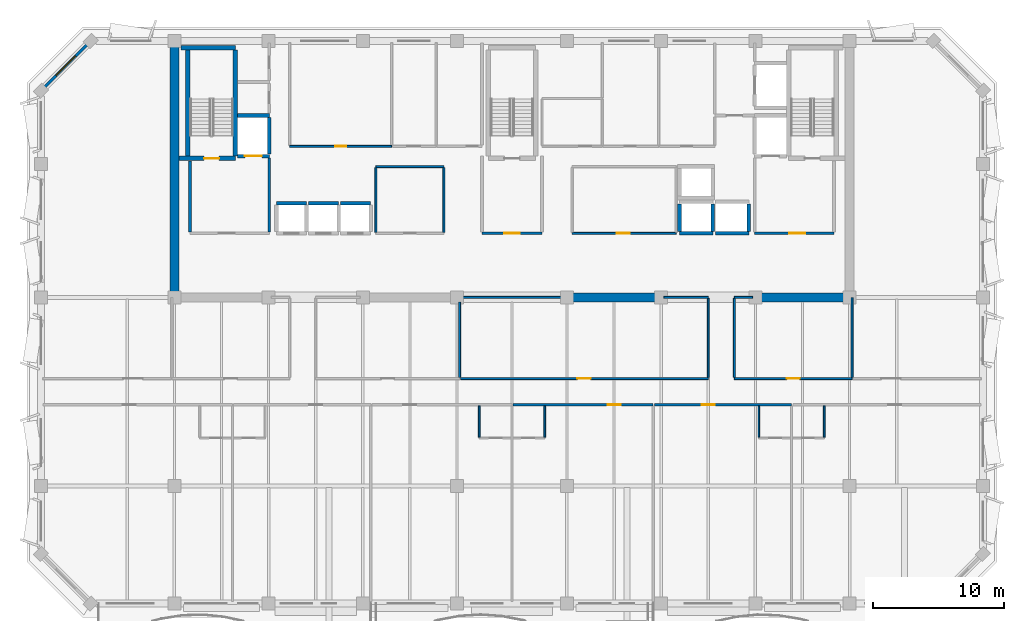
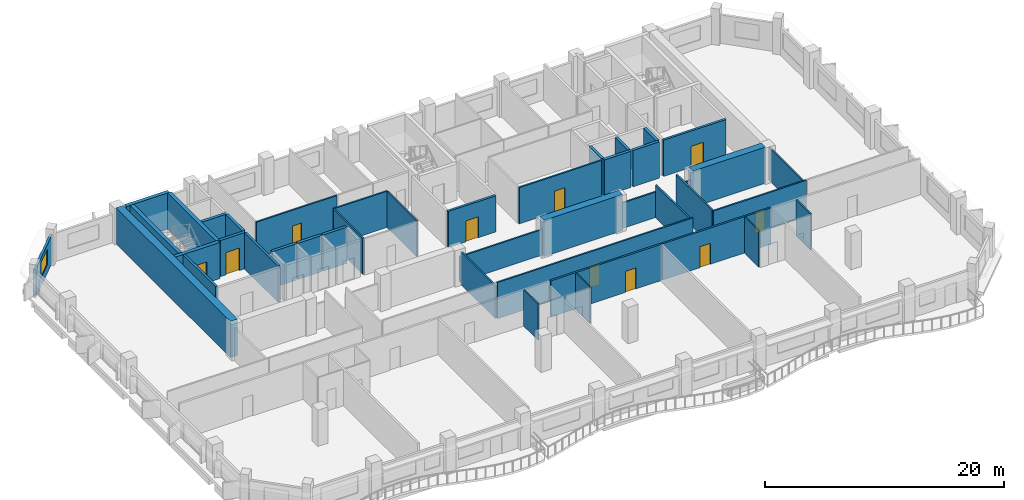
# One storey, part 5 of 11: 43 walls, 10 doors, 1 window, 11 openings.
"""IFC4 building model written with IfcOpenShell, lengths in metres."""

from ifc_helpers import new_model, si_unit, direction, frame, frame_2d, origin, place, context, subcontext, project, spatial, rectangle, extrude, material, layer, layer_set, type_object, element, fill, save


model = new_model("IFC4")

# Units and contexts
model_context = context("Model", 3, precision=1e-05, world=origin(), true_north=direction((0.0, 1.0)))
body_context = subcontext(model_context, "Body", "Model", "MODEL_VIEW")
ifc_project = project(units=[si_unit("LENGTHUNIT", "METRE"), si_unit("AREAUNIT", "SQUARE_METRE"), si_unit("VOLUMEUNIT", "CUBIC_METRE"), si_unit("PLANEANGLEUNIT", "RADIAN"), si_unit("MASSUNIT", "GRAM", prefix="KILO")], contexts=[model_context])

# Site, building, storey
site_placement = place(None, origin())
site = spatial("IfcSite", under=ifc_project, at=site_placement, CompositionType="ELEMENT")
building_placement = place(site_placement, origin())
building = spatial("IfcBuilding", under=site, at=building_placement, Name="Kaelvorn Grand Hotel", CompositionType="ELEMENT")
storey_placement = place(building_placement, frame((0.0, 0.0, 256.800048828125)))
storey = spatial("IfcBuildingStorey", under=building, at=storey_placement, Name="L63", CompositionType="ELEMENT", Elevation=256.800048828125)

# Walls
ifc_material_1 = material(Name="Concrete C50/60", Category="concrete")
ifc_layer_1 = layer(ifc_material_1, 0.699951171875)
ifc_layer_set_1 = layer_set([ifc_layer_1], Name="Concrete C50/60")
wall_type_1 = type_object("IfcWallType", Name="WL-CORE-700-C50", PredefinedType="SHEAR", material=ifc_layer_set_1)
wall_1_placement = place(storey_placement, frame((16.199951171875, 29.39990234375, 0.0), z_axis=(0.0, 0.0, 1.0), x_axis=(0.0, 1.0, 0.0)))
element("IfcWall", 1, at=wall_1_placement, inside=storey, type_object=wall_type_1, Name="L63 Rear-Core West Shear Wall", PredefinedType="SHEAR", context=body_context, shape_type="SweptSolid", body=[
    extrude(rectangle(XDim=19.2001953125, YDim=0.699951171875, at=frame_2d((9.60009765625, 0.0))), origin(), (0.0, 0.0, 1.0), 3.7099609375),
])
wall_2_placement = place(storey_placement, frame((46.0, 29.39990234375, 0.0), z_axis=(0.0, 0.0, 1.0), x_axis=(1.0, 0.0, 0.0)))
element("IfcWall", 2, at=wall_2_placement, inside=storey, type_object=wall_type_1, Name="L63 Rear-Core Coupled Shear Pier S3", PredefinedType="SHEAR", context=body_context, shape_type="SweptSolid", body=[
    extrude(rectangle(XDim=7.60009765625, YDim=0.699951171875, at=frame_2d((3.800048828125, 0.0))), origin(), (0.0, 0.0, 1.0), 3.7099609375),
])
wall_3_placement = place(storey_placement, frame((60.39990234375, 29.39990234375, 0.0), z_axis=(0.0, 0.0, 1.0), x_axis=(1.0, 0.0, 0.0)))
element("IfcWall", 3, at=wall_3_placement, inside=storey, type_object=wall_type_1, Name="L63 Rear-Core Coupled Shear Pier S4", PredefinedType="SHEAR", context=body_context, shape_type="SweptSolid", body=[
    extrude(rectangle(XDim=7.045166015625, YDim=0.699951171875, at=frame_2d((3.5224609375, 0.0))), origin(), (0.0, 0.0, 1.0), 3.7099609375),
])

# Wall, opening, window
ifc_material_2 = material(Name="Concrete C40/50", Category="concrete")
ifc_layer_2 = layer(ifc_material_2, 0.219970703125)
ifc_layer_set_2 = layer_set([ifc_layer_2], Name="Concrete C40/50")
wall_type_2 = type_object("IfcWallType", Name="WL-EXT-220-C40", PredefinedType="SOLIDWALL", material=ifc_layer_set_2)
wall_4_placement = place(storey_placement, frame((9.800048828125, 49.0, 0.0), z_axis=(0.0, 0.0, 1.0), x_axis=(-0.707106781187, -0.707106781187, 0.0)))
wall_4 = element("IfcWall", 4, at=wall_4_placement, inside=storey, type_object=wall_type_2, Name="L63 Exterior Architectural Concrete Wall 06", PredefinedType="SOLIDWALL", context=body_context, shape_type="SweptSolid", body=[
    extrude(rectangle(XDim=5.3740234375, YDim=0.219970703125, at=frame_2d((2.68701171875, 0.0))), origin(), (0.0, 0.0, 1.0), 2.909912109375),
])
opening_1_placement = place(wall_4_placement, frame((1.636962890625, 0.0, 0.85009765625)))
opening_1 = element("IfcOpeningElement", 5, at=opening_1_placement, cuts=wall_4, Name="Opening W7", PredefinedType="OPENING", context=body_context, shape_type="SweptSolid", body=[
    extrude(rectangle(XDim=2.10009765625, YDim=1.60009765625, at=frame_2d((1.050048828125, 0.800048828125))), frame((0.0, 0.1201171875, 0.0), z_axis=(0.0, -1.0, 0.0), x_axis=(1.0, 0.0, 0.0)), (0.0, 0.0, 1.0), 0.239990234375),
])
ifc_material_3 = material(Name="Laminated Low-E Glass", Category="glass")
window_type = type_object("IfcWindowType", Name="WIN-CHM-2100x1600", PartitioningType="SINGLE_PANEL", PredefinedType="WINDOW", material=ifc_material_3)
window_placement = place(opening_1_placement, origin())
window = element("IfcWindow", 6, at=window_placement, inside=storey, type_object=window_type, Name="L63 Chamfered 45-Degree Corner Window NW", OverallHeight=1.60009765625, OverallWidth=2.10009765625, PartitioningType="SINGLE_PANEL", PredefinedType="WINDOW", context=body_context, shape_type="SweptSolid", body=[
    extrude(rectangle(XDim=2.10009765625, YDim=1.60009765625, at=frame_2d((1.050048828125, 0.800048828125))), frame((0.0, 0.030029296875, 0.0), z_axis=(0.0, -1.0, 0.0), x_axis=(1.0, 0.0, 0.0)), (0.0, 0.0, 1.0), 0.06005859375),
])
fill(opening_1, window)

# Walls
ifc_material_4 = material(Name="Moisture-Resistant Tile & Stud Board")
ifc_layer_3 = layer(ifc_material_4, 0.125)
ifc_layer_set_3 = layer_set([ifc_layer_3], Name="Moisture-Resistant Tile & Stud Board")
wall_type_3 = type_object("IfcWallType", Name="WL-PART-125-WET", PredefinedType="PARTITIONING", material=ifc_layer_set_3)
for number, where, z_axis, x_axis, name in (
    (7, (39.5, 18.717529296875, 0.0), (0.0, 0.0, 1.0), (0.0, 1.0, 0.0), "L63 En-suite Bathroom L63-03 W Partition"),
    (8, (44.5, 18.717529296875, 0.0), (0.0, 0.0, 1.0), (0.0, 1.0, 0.0), "L63 En-suite Bathroom L63-04 E Partition"),
    (9, (60.86669921875, 18.717529296875, 0.0), (0.0, 0.0, 1.0), (0.0, 1.0, 0.0), "L63 En-suite Bathroom L63-05 W Partition"),
    (10, (65.86669921875, 18.717529296875, 0.0), (0.0, 0.0, 1.0), (0.0, 1.0, 0.0), "L63 En-suite Bathroom L63-06 E Partition"),
):
    element("IfcWall", number, at=place(storey_placement, frame(where, z_axis=z_axis, x_axis=x_axis)), inside=storey, type_object=wall_type_3, Name=name, PredefinedType="PARTITIONING", context=body_context, shape_type="SweptSolid", body=[
        extrude(rectangle(XDim=2.387451171875, YDim=0.125, at=frame_2d((1.19384765625, 0.0))), origin(), (0.0, 0.0, 1.0), 3.7099609375),
    ])
ifc_material_5 = material(Name="Acoustic Gypsum & Stud Partition")
ifc_layer_4 = layer(ifc_material_5, 0.14990234375)
ifc_layer_set_4 = layer_set([ifc_layer_4], Name="Acoustic Gypsum & Stud Partition")
wall_type_4 = type_object("IfcWallType", Name="WL-PART-150-EI60", PredefinedType="PARTITIONING", material=ifc_layer_set_4)
wall_5_placement = place(storey_placement, frame((31.60009765625, 39.39990234375, 0.0), z_axis=(0.0, 0.0, 1.0), x_axis=(1.0, 0.0, 0.0)))
element("IfcWall", 11, at=wall_5_placement, inside=storey, type_object=wall_type_4, Name="L63 Core Telecoms & BMS Server Room N Partition", PredefinedType="PARTITIONING", context=body_context, shape_type="SweptSolid", body=[
    extrude(rectangle(XDim=5.199951171875, YDim=0.14990234375, at=frame_2d((2.60009765625, 0.0))), origin(), (0.0, 0.0, 1.0), 3.7099609375),
])
for number, where, z_axis, x_axis, name in (
    (12, (31.60009765625, 34.3798828125, 0.0), (0.0, 0.0, 1.0), (0.0, 1.0, 0.0), "L63 Core Telecoms & BMS Server Room W Partition"),
    (13, (36.800048828125, 34.3798828125, 0.0), (0.0, 0.0, 1.0), (0.0, 1.0, 0.0), "L63 Core Telecoms & BMS Server Room E Partition"),
):
    element("IfcWall", number, at=place(storey_placement, frame(where, z_axis=z_axis, x_axis=x_axis)), inside=storey, type_object=wall_type_4, Name=name, PredefinedType="PARTITIONING", context=body_context, shape_type="SweptSolid", body=[
        extrude(rectangle(XDim=4.940185546875, YDim=0.14990234375, at=frame_2d((2.47021484375, 0.0))), origin(), (0.0, 0.0, 1.0), 3.7099609375),
    ])

# Wall, opening, door
wall_6_placement = place(storey_placement, frame((46.60009765625, 34.300048828125, 0.0), z_axis=(0.0, 0.0, 1.0), x_axis=(1.0, 0.0, 0.0)))
wall_6 = element("IfcWall", 14, at=wall_6_placement, inside=storey, type_object=wall_type_4, Name="L63 Sky Concierge & Butler Pantry Lounge S Partition", PredefinedType="PARTITIONING", context=body_context, shape_type="SweptSolid", body=[
    extrude(rectangle(XDim=7.949951171875, YDim=0.14990234375, at=frame_2d((3.97509765625, 0.0))), origin(), (0.0, 0.0, 1.0), 3.7099609375),
])
opening_2_placement = place(wall_6_placement, frame((3.39990234375, 0.0, 0.0)))
opening_2 = element("IfcOpeningElement", 15, at=opening_2_placement, cuts=wall_6, Name="Opening DI3", PredefinedType="OPENING", context=body_context, shape_type="SweptSolid", body=[
    extrude(rectangle(XDim=1.0, YDim=2.14990234375, at=frame_2d((0.5, 1.074951171875))), frame((0.0, 0.0849609375, 0.0), z_axis=(0.0, -1.0, 0.0), x_axis=(1.0, 0.0, 0.0)), (0.0, 0.0, 1.0), 0.169921875),
])
ifc_material_6 = material(Name="Timber Veneer Fire Leaf", Category="wood")
door_type_1 = type_object("IfcDoorType", Name="DR-INT-GUEST-1000x2150", OperationType="NOTDEFINED", PredefinedType="DOOR", material=ifc_material_6)
door_1_placement = place(opening_2_placement, origin())
door_1 = element("IfcDoor", 16, at=door_1_placement, inside=storey, type_object=door_type_1, Name="L63 Sky Concierge & Butler Pantry Lounge Door", OperationType="SINGLE_SWING_LEFT", OverallHeight=2.14990234375, OverallWidth=1.0, PredefinedType="DOOR", context=body_context, shape_type="SweptSolid", body=[
    extrude(rectangle(XDim=1.0, YDim=2.14990234375, at=frame_2d((0.5, 1.074951171875))), frame((0.0, 0.02490234375, 0.0), z_axis=(0.0, -1.0, 0.0), x_axis=(1.0, 0.0, 0.0)), (0.0, 0.0, 1.0), 0.050048828125),
])
fill(opening_2, door_1)

wall_7_placement = place(storey_placement, frame((25.0, 40.949951171875, 0.0), z_axis=(0.0, 0.0, 1.0), x_axis=(1.0, 0.0, 0.0)))
wall_7 = element("IfcWall", 17, at=wall_7_placement, inside=storey, type_object=wall_type_4, Name="L63 Housekeeping & Linen Room S Partition", PredefinedType="PARTITIONING", context=body_context, shape_type="SweptSolid", body=[
    extrude(rectangle(XDim=7.800048828125, YDim=0.14990234375, at=frame_2d((3.89990234375, 0.0))), origin(), (0.0, 0.0, 1.0), 3.7099609375),
])
opening_3_placement = place(wall_7_placement, frame((3.47509765625, 0.0, 0.0)))
opening_3 = element("IfcOpeningElement", 18, at=opening_3_placement, cuts=wall_7, Name="Opening DI7", PredefinedType="OPENING", context=body_context, shape_type="SweptSolid", body=[
    extrude(rectangle(XDim=0.85009765625, YDim=2.10009765625, at=frame_2d((0.425048828125, 1.050048828125))), frame((0.0, 0.0849609375, 0.0), z_axis=(0.0, -1.0, 0.0), x_axis=(1.0, 0.0, 0.0)), (0.0, 0.0, 1.0), 0.169921875),
])
ifc_material_7 = material(Name="Powder-Coated Steel Leaf", Category="steel")
door_type_2 = type_object("IfcDoorType", Name="DR-INT-RISER-850x2100", OperationType="NOTDEFINED", PredefinedType="DOOR", material=ifc_material_7)
door_2_placement = place(opening_3_placement, origin())
door_2 = element("IfcDoor", 19, at=door_2_placement, inside=storey, type_object=door_type_2, Name="L63 Housekeeping & Linen Room Door", OperationType="SINGLE_SWING_RIGHT", OverallHeight=2.10009765625, OverallWidth=0.85009765625, PredefinedType="DOOR", context=body_context, shape_type="SweptSolid", body=[
    extrude(rectangle(XDim=0.85009765625, YDim=2.10009765625, at=frame_2d((0.425048828125, 1.050048828125))), frame((0.0, 0.02490234375, 0.0), z_axis=(0.0, -1.0, 0.0), x_axis=(1.0, 0.0, 0.0)), (0.0, 0.0, 1.0), 0.050048828125),
])
fill(opening_3, door_2)

# Wall
wall_8_placement = place(storey_placement, frame((38.0, 23.280029296875, 0.0), z_axis=(0.0, 0.0, 1.0), x_axis=(0.0, 1.0, 0.0)))
element("IfcWall", 20, at=wall_8_placement, inside=storey, type_object=wall_type_4, Name="L63 Chef Finishing Kitchen E Partition", PredefinedType="PARTITIONING", context=body_context, shape_type="SweptSolid", body=[
    extrude(rectangle(XDim=5.764892578125, YDim=0.14990234375, at=frame_2d((2.88232421875, 0.0))), origin(), (0.0, 0.0, 1.0), 3.349853515625),
])

# Wall, opening, door
wall_9_placement = place(storey_placement, frame((38.080078125, 23.199951171875, 0.0), z_axis=(0.0, 0.0, 1.0), x_axis=(1.0, 0.0, 0.0)))
wall_9 = element("IfcWall", 21, at=wall_9_placement, inside=storey, type_object=wall_type_4, Name="L63 Conference Seminar Room S Partition", PredefinedType="PARTITIONING", context=body_context, shape_type="SweptSolid", body=[
    extrude(rectangle(XDim=18.919921875, YDim=0.14990234375, at=frame_2d((9.4599609375, 0.0))), origin(), (0.0, 0.0, 1.0), 3.7099609375),
])
opening_4_placement = place(wall_9_placement, frame((8.919921875, 0.0, 0.0)))
opening_4 = element("IfcOpeningElement", 22, at=opening_4_placement, cuts=wall_9, Name="Opening DI3", PredefinedType="OPENING", context=body_context, shape_type="SweptSolid", body=[
    extrude(rectangle(XDim=1.0, YDim=2.14990234375, at=frame_2d((0.5, 1.074951171875))), frame((0.0, 0.0849609375, 0.0), z_axis=(0.0, -1.0, 0.0), x_axis=(1.0, 0.0, 0.0)), (0.0, 0.0, 1.0), 0.169921875),
])
door_3_placement = place(opening_4_placement, origin())
door_3 = element("IfcDoor", 23, at=door_3_placement, inside=storey, type_object=door_type_1, Name="L63 Conference Seminar Room Door", OperationType="SINGLE_SWING_RIGHT", OverallHeight=2.14990234375, OverallWidth=1.0, PredefinedType="DOOR", context=body_context, shape_type="SweptSolid", body=[
    extrude(rectangle(XDim=1.0, YDim=2.14990234375, at=frame_2d((0.5, 1.074951171875))), frame((0.0, 0.02490234375, 0.0), z_axis=(0.0, -1.0, 0.0), x_axis=(1.0, 0.0, 0.0)), (0.0, 0.0, 1.0), 0.050048828125),
])
fill(opening_4, door_3)

# Walls
wall_10_placement = place(storey_placement, frame((38.010009765625, 29.39990234375, 0.0), z_axis=(0.0, 0.0, 1.0), x_axis=(1.0, 0.0, 0.0)))
element("IfcWall", 24, at=wall_10_placement, inside=storey, type_object=wall_type_4, Name="L63 Conference Seminar Room N Partition (1)", PredefinedType="PARTITIONING", context=body_context, shape_type="SweptSolid", body=[
    extrude(rectangle(XDim=7.97998046875, YDim=0.14990234375, at=frame_2d((3.989990234375, 0.0))), origin(), (0.0, 0.0, 1.0), 2.60986328125),
])
wall_11_placement = place(storey_placement, frame((53.610107421875, 29.39990234375, 0.0), z_axis=(0.0, 0.0, 1.0), x_axis=(1.0, 0.0, 0.0)))
element("IfcWall", 25, at=wall_11_placement, inside=storey, type_object=wall_type_4, Name="L63 Conference Seminar Room N Partition (2)", PredefinedType="PARTITIONING", context=body_context, shape_type="SweptSolid", body=[
    extrude(rectangle(XDim=3.389892578125, YDim=0.14990234375, at=frame_2d((1.69482421875, 0.0))), origin(), (0.0, 0.0, 1.0), 2.60986328125),
])
wall_12_placement = place(storey_placement, frame((57.0, 23.280029296875, 0.0), z_axis=(0.0, 0.0, 1.0), x_axis=(0.0, 1.0, 0.0)))
element("IfcWall", 26, at=wall_12_placement, inside=storey, type_object=wall_type_4, Name="L63 Conference Seminar Room E Partition", PredefinedType="PARTITIONING", context=body_context, shape_type="SweptSolid", body=[
    extrude(rectangle(XDim=6.0400390625, YDim=0.14990234375, at=frame_2d((3.02001953125, 0.0))), origin(), (0.0, 0.0, 1.0), 3.349853515625),
])

# Wall, opening, door
wall_13_placement = place(storey_placement, frame((59.0, 23.199951171875, 0.0), z_axis=(0.0, 0.0, 1.0), x_axis=(1.0, 0.0, 0.0)))
wall_13 = element("IfcWall", 27, at=wall_13_placement, inside=storey, type_object=wall_type_4, Name="L63 Concierge Admin Office S Partition", PredefinedType="PARTITIONING", context=body_context, shape_type="SweptSolid", body=[
    extrude(rectangle(XDim=9.0, YDim=0.14990234375, at=frame_2d((4.5, 0.0))), origin(), (0.0, 0.0, 1.0), 3.7099609375),
])
opening_5_placement = place(wall_13_placement, frame((4.0, 0.0, 0.0)))
opening_5 = element("IfcOpeningElement", 28, at=opening_5_placement, cuts=wall_13, Name="Opening DI3", PredefinedType="OPENING", context=body_context, shape_type="SweptSolid", body=[
    extrude(rectangle(XDim=1.0, YDim=2.14990234375, at=frame_2d((0.5, 1.074951171875))), frame((0.0, 0.0849609375, 0.0), z_axis=(0.0, -1.0, 0.0), x_axis=(1.0, 0.0, 0.0)), (0.0, 0.0, 1.0), 0.169921875),
])
door_4_placement = place(opening_5_placement, origin())
door_4 = element("IfcDoor", 29, at=door_4_placement, inside=storey, type_object=door_type_1, Name="L63 Concierge Admin Office Door", OperationType="SINGLE_SWING_LEFT", OverallHeight=2.14990234375, OverallWidth=1.0, PredefinedType="DOOR", context=body_context, shape_type="SweptSolid", body=[
    extrude(rectangle(XDim=1.0, YDim=2.14990234375, at=frame_2d((0.5, 1.074951171875))), frame((0.0, 0.02490234375, 0.0), z_axis=(0.0, -1.0, 0.0), x_axis=(1.0, 0.0, 0.0)), (0.0, 0.0, 1.0), 0.050048828125),
])
fill(opening_5, door_4)

# Walls
wall_14_placement = place(storey_placement, frame((59.0, 29.39990234375, 0.0), z_axis=(0.0, 0.0, 1.0), x_axis=(1.0, 0.0, 0.0)))
element("IfcWall", 30, at=wall_14_placement, inside=storey, type_object=wall_type_4, Name="L63 Concierge Admin Office N Partition", PredefinedType="PARTITIONING", context=body_context, shape_type="SweptSolid", body=[
    extrude(rectangle(XDim=1.389892578125, YDim=0.14990234375, at=frame_2d((0.69482421875, 0.0))), origin(), (0.0, 0.0, 1.0), 2.60986328125),
])
wall_15_placement = place(storey_placement, frame((59.0, 23.280029296875, 0.0), z_axis=(0.0, 0.0, 1.0), x_axis=(0.0, 1.0, 0.0)))
element("IfcWall", 31, at=wall_15_placement, inside=storey, type_object=wall_type_4, Name="L63 Concierge Admin Office W Partition", PredefinedType="PARTITIONING", context=body_context, shape_type="SweptSolid", body=[
    extrude(rectangle(XDim=6.0400390625, YDim=0.14990234375, at=frame_2d((3.02001953125, 0.0))), origin(), (0.0, 0.0, 1.0), 3.7099609375),
])
wall_16_placement = place(storey_placement, frame((68.0, 23.280029296875, 0.0), z_axis=(0.0, 0.0, 1.0), x_axis=(0.0, 1.0, 0.0)))
element("IfcWall", 32, at=wall_16_placement, inside=storey, type_object=wall_type_4, Name="L63 Concierge Admin Office E Partition", PredefinedType="PARTITIONING", context=body_context, shape_type="SweptSolid", body=[
    extrude(rectangle(XDim=6.10986328125, YDim=0.14990234375, at=frame_2d((3.054931640625, 0.0))), origin(), (0.0, 0.0, 1.0), 3.349853515625),
])

# Wall, opening, door
ifc_layer_5 = layer(ifc_material_5, 0.179931640625)
ifc_layer_set_5 = layer_set([ifc_layer_5], Name="Acoustic Gypsum & Stud Partition")
wall_type_5 = type_object("IfcWallType", Name="WL-PART-180-EI60", PredefinedType="PARTITIONING", material=ifc_layer_set_5)
wall_17_placement = place(storey_placement, frame((42.094970703125, 21.199951171875, 0.0), z_axis=(0.0, 0.0, 1.0), x_axis=(1.0, 0.0, 0.0)))
wall_17 = element("IfcWall", 33, at=wall_17_placement, inside=storey, type_object=wall_type_5, Name="L63 Ambassador Junior Suite L63-04 N Partition", PredefinedType="PARTITIONING", context=body_context, shape_type="SweptSolid", body=[
    extrude(rectangle(XDim=10.688232421875, YDim=0.179931640625, at=frame_2d((5.34423828125, 0.0))), origin(), (0.0, 0.0, 1.0), 3.7099609375),
])
opening_6_placement = place(wall_17_placement, frame((7.205078125, 0.0, 0.0)))
opening_6 = element("IfcOpeningElement", 34, at=opening_6_placement, cuts=wall_17, Name="Opening DI3", PredefinedType="OPENING", context=body_context, shape_type="SweptSolid", body=[
    extrude(rectangle(XDim=1.0, YDim=2.14990234375, at=frame_2d((0.5, 1.074951171875))), frame((0.0, 0.10009765625, 0.0), z_axis=(0.0, -1.0, 0.0), x_axis=(1.0, 0.0, 0.0)), (0.0, 0.0, 1.0), 0.199951171875),
])
door_5_placement = place(opening_6_placement, origin())
door_5 = element("IfcDoor", 35, at=door_5_placement, inside=storey, type_object=door_type_1, Name="L63 Ambassador Junior Suite L63-04 Door", OperationType="SINGLE_SWING_RIGHT", OverallHeight=2.14990234375, OverallWidth=1.0, PredefinedType="DOOR", context=body_context, shape_type="SweptSolid", body=[
    extrude(rectangle(XDim=1.0, YDim=2.14990234375, at=frame_2d((0.5, 1.074951171875))), frame((0.0, 0.02490234375, 0.0), z_axis=(0.0, -1.0, 0.0), x_axis=(1.0, 0.0, 0.0)), (0.0, 0.0, 1.0), 0.050048828125),
])
fill(opening_6, door_5)

wall_18_placement = place(storey_placement, frame((52.878173828125, 21.199951171875, 0.0), z_axis=(0.0, 0.0, 1.0), x_axis=(1.0, 0.0, 0.0)))
wall_18 = element("IfcWall", 36, at=wall_18_placement, inside=storey, type_object=wall_type_5, Name="L63 Ambassador Junior Suite L63-05 N Partition", PredefinedType="PARTITIONING", context=body_context, shape_type="SweptSolid", body=[
    extrude(rectangle(XDim=10.488525390625, YDim=0.179931640625, at=frame_2d((5.244140625, 0.0))), origin(), (0.0, 0.0, 1.0), 3.7099609375),
])
opening_7_placement = place(wall_18_placement, frame((3.621826171875, 0.0, 0.0)))
opening_7 = element("IfcOpeningElement", 37, at=opening_7_placement, cuts=wall_18, Name="Opening DI3", PredefinedType="OPENING", context=body_context, shape_type="SweptSolid", body=[
    extrude(rectangle(XDim=1.0, YDim=2.14990234375, at=frame_2d((0.5, 1.074951171875))), frame((0.0, 0.10009765625, 0.0), z_axis=(0.0, -1.0, 0.0), x_axis=(1.0, 0.0, 0.0)), (0.0, 0.0, 1.0), 0.199951171875),
])
door_6_placement = place(opening_7_placement, origin())
door_6 = element("IfcDoor", 38, at=door_6_placement, inside=storey, type_object=door_type_1, Name="L63 Ambassador Junior Suite L63-05 Door", OperationType="SINGLE_SWING_RIGHT", OverallHeight=2.14990234375, OverallWidth=1.0, PredefinedType="DOOR", context=body_context, shape_type="SweptSolid", body=[
    extrude(rectangle(XDim=1.0, YDim=2.14990234375, at=frame_2d((0.5, 1.074951171875))), frame((0.0, 0.02490234375, 0.0), z_axis=(0.0, -1.0, 0.0), x_axis=(1.0, 0.0, 0.0)), (0.0, 0.0, 1.0), 0.050048828125),
])
fill(opening_7, door_6)

# Walls
ifc_layer_6 = layer(ifc_material_2, 0.219970703125)
ifc_layer_set_6 = layer_set([ifc_layer_6], Name="Concrete C40/50")
wall_type_6 = type_object("IfcWallType", Name="WL-PART-220-EI120", PredefinedType="PARTITIONING", material=ifc_layer_set_6)
wall_19_placement = place(storey_placement, frame((17.39990234375, 34.4150390625, 0.0), z_axis=(0.0, 0.0, 1.0), x_axis=(0.0, 1.0, 0.0)))
element("IfcWall", 39, at=wall_19_placement, inside=storey, type_object=wall_type_6, Name="L63 Firefighting Lift Lobby 1 W Partition", PredefinedType="PARTITIONING", context=body_context, shape_type="SweptSolid", body=[
    extrude(rectangle(XDim=5.429931640625, YDim=0.219970703125, at=frame_2d((2.71484375, 0.0))), origin(), (0.0, 0.0, 1.0), 3.7099609375),
])
wall_20_placement = place(storey_placement, frame((23.449951171875, 34.4150390625, 0.0), z_axis=(0.0, 0.0, 1.0), x_axis=(0.0, 1.0, 0.0)))
element("IfcWall", 40, at=wall_20_placement, inside=storey, type_object=wall_type_6, Name="L63 Firefighting Lift Lobby 1 E Partition", PredefinedType="PARTITIONING", context=body_context, shape_type="SweptSolid", body=[
    extrude(rectangle(XDim=5.639892578125, YDim=0.219970703125, at=frame_2d((2.81982421875, 0.0))), origin(), (0.0, 0.0, 1.0), 3.7099609375),
])

# Wall, opening, door
wall_21_placement = place(storey_placement, frame((60.550048828125, 34.300048828125, 0.0), z_axis=(0.0, 0.0, 1.0), x_axis=(1.0, 0.0, 0.0)))
wall_21 = element("IfcWall", 41, at=wall_21_placement, inside=storey, type_object=wall_type_6, Name="L63 Firefighting Lift Lobby 2 S Partition", PredefinedType="PARTITIONING", context=body_context, shape_type="SweptSolid", body=[
    extrude(rectangle(XDim=6.050048828125, YDim=0.219970703125, at=frame_2d((3.02490234375, 0.0))), origin(), (0.0, 0.0, 1.0), 3.7099609375),
])
opening_8_placement = place(wall_21_placement, frame((2.64990234375, 0.0, 0.0)))
opening_8 = element("IfcOpeningElement", 42, at=opening_8_placement, cuts=wall_21, Name="Opening DI2", PredefinedType="OPENING", context=body_context, shape_type="SweptSolid", body=[
    extrude(rectangle(XDim=1.199951171875, YDim=2.14990234375, at=frame_2d((0.60009765625, 1.074951171875))), frame((0.0, 0.1201171875, 0.0), z_axis=(0.0, -1.0, 0.0), x_axis=(1.0, 0.0, 0.0)), (0.0, 0.0, 1.0), 0.239990234375),
])
door_type_3 = type_object("IfcDoorType", Name="DR-INT-FFLOB-1200x2150", OperationType="NOTDEFINED", PredefinedType="DOOR", material=ifc_material_6)
door_7_placement = place(opening_8_placement, origin())
door_7 = element("IfcDoor", 43, at=door_7_placement, inside=storey, type_object=door_type_3, Name="L63 Firefighting Lift Lobby 2 Door", OperationType="SINGLE_SWING_LEFT", OverallHeight=2.14990234375, OverallWidth=1.199951171875, PredefinedType="DOOR", context=body_context, shape_type="SweptSolid", body=[
    extrude(rectangle(XDim=1.199951171875, YDim=2.14990234375, at=frame_2d((0.60009765625, 1.074951171875))), frame((0.0, 0.02490234375, 0.0), z_axis=(0.0, -1.0, 0.0), x_axis=(1.0, 0.0, 0.0)), (0.0, 0.0, 1.0), 0.050048828125),
])
fill(opening_8, door_7)

wall_22_placement = place(storey_placement, frame((39.699951171875, 34.300048828125, 0.0), z_axis=(0.0, 0.0, 1.0), x_axis=(1.0, 0.0, 0.0)))
wall_22 = element("IfcWall", 44, at=wall_22_placement, inside=storey, type_object=wall_type_6, Name="L63 Central Stair Escape Vestibule S Partition", PredefinedType="PARTITIONING", context=body_context, shape_type="SweptSolid", body=[
    extrude(rectangle(XDim=4.60009765625, YDim=0.219970703125, at=frame_2d((2.300048828125, 0.0))), origin(), (0.0, 0.0, 1.0), 3.7099609375),
])
opening_9_placement = place(wall_22_placement, frame((1.699951171875, 0.0, 0.0)))
opening_9 = element("IfcOpeningElement", 45, at=opening_9_placement, cuts=wall_22, Name="Opening DI2", PredefinedType="OPENING", context=body_context, shape_type="SweptSolid", body=[
    extrude(rectangle(XDim=1.199951171875, YDim=2.14990234375, at=frame_2d((0.60009765625, 1.074951171875))), frame((0.0, 0.1201171875, 0.0), z_axis=(0.0, -1.0, 0.0), x_axis=(1.0, 0.0, 0.0)), (0.0, 0.0, 1.0), 0.239990234375),
])
door_8_placement = place(opening_9_placement, origin())
door_8 = element("IfcDoor", 46, at=door_8_placement, inside=storey, type_object=door_type_3, Name="L63 Central Stair Escape Vestibule Door", OperationType="SINGLE_SWING_RIGHT", OverallHeight=2.14990234375, OverallWidth=1.199951171875, PredefinedType="DOOR", context=body_context, shape_type="SweptSolid", body=[
    extrude(rectangle(XDim=1.199951171875, YDim=2.14990234375, at=frame_2d((0.60009765625, 1.074951171875))), frame((0.0, 0.02490234375, 0.0), z_axis=(0.0, -1.0, 0.0), x_axis=(1.0, 0.0, 0.0)), (0.0, 0.0, 1.0), 0.050048828125),
])
fill(opening_9, door_8)

# Walls
ifc_layer_7 = layer(ifc_material_1, 0.280029296875)
ifc_layer_set_7 = layer_set([ifc_layer_7], Name="Concrete C50/60")
wall_type_7 = type_object("IfcWallType", Name="WL-SHAFT-280-C50", PredefinedType="SHEAR", material=ifc_layer_set_7)
for number, where, z_axis, x_axis, name in (
    (47, (24.0, 36.60009765625, 0.0), (0.0, 0.0, 1.0), (1.0, 0.0, 0.0), "L63 Lift PL-H1 Shaft North Wall"),
    (48, (26.449951171875, 36.60009765625, 0.0), (0.0, 0.0, 1.0), (1.0, 0.0, 0.0), "L63 Lift PL-H2 Shaft North Wall"),
    (49, (28.89990234375, 36.60009765625, 0.0), (0.0, 0.0, 1.0), (1.0, 0.0, 0.0), "L63 Lift PL-H3 Shaft North Wall"),
):
    element("IfcWall", number, at=place(storey_placement, frame(where, z_axis=z_axis, x_axis=x_axis)), inside=storey, type_object=wall_type_7, Name=name, PredefinedType="SHEAR", context=body_context, shape_type="SweptSolid", body=[
        extrude(rectangle(XDim=2.300048828125, YDim=0.280029296875, at=frame_2d((1.14990234375, 0.0))), origin(), (0.0, 0.0, 1.0), 3.7099609375),
    ])
wall_23_placement = place(storey_placement, frame((54.800048828125, 34.300048828125, 0.0), z_axis=(0.0, 0.0, 1.0), x_axis=(1.0, 0.0, 0.0)))
element("IfcWall", 50, at=wall_23_placement, inside=storey, type_object=wall_type_7, Name="L63 Lift OL-1 Shaft South Wall", PredefinedType="SHEAR", context=body_context, shape_type="SweptSolid", body=[
    extrude(rectangle(XDim=2.550048828125, YDim=0.280029296875, at=frame_2d((1.27490234375, 0.0))), origin(), (0.0, 0.0, 1.0), 3.7099609375),
])
for number, where, z_axis, x_axis, name in (
    (51, (54.800048828125, 34.445068359375, 0.0), (0.0, 0.0, 1.0), (0.0, 1.0, 0.0), "L63 Lift OL-1 Shaft West Wall"),
    (52, (57.35009765625, 34.445068359375, 0.0), (0.0, 0.0, 1.0), (0.0, 1.0, 0.0), "L63 Lift OL-1 Shaft East Wall"),
):
    element("IfcWall", number, at=place(storey_placement, frame(where, z_axis=z_axis, x_axis=x_axis)), inside=storey, type_object=wall_type_7, Name=name, PredefinedType="SHEAR", context=body_context, shape_type="SweptSolid", body=[
        extrude(rectangle(XDim=2.10986328125, YDim=0.280029296875, at=frame_2d((1.054931640625, 0.0))), origin(), (0.0, 0.0, 1.0), 3.7099609375),
    ])
wall_24_placement = place(storey_placement, frame((57.550048828125, 34.300048828125, 0.0), z_axis=(0.0, 0.0, 1.0), x_axis=(1.0, 0.0, 0.0)))
element("IfcWall", 53, at=wall_24_placement, inside=storey, type_object=wall_type_7, Name="L63 Lift OL-2 Shaft South Wall", PredefinedType="SHEAR", context=body_context, shape_type="SweptSolid", body=[
    extrude(rectangle(XDim=2.550048828125, YDim=0.280029296875, at=frame_2d((1.27490234375, 0.0))), origin(), (0.0, 0.0, 1.0), 3.7099609375),
])
wall_25_placement = place(storey_placement, frame((60.10009765625, 34.445068359375, 0.0), z_axis=(0.0, 0.0, 1.0), x_axis=(0.0, 1.0, 0.0)))
element("IfcWall", 54, at=wall_25_placement, inside=storey, type_object=wall_type_7, Name="L63 Lift OL-2 Shaft East Wall", PredefinedType="SHEAR", context=body_context, shape_type="SweptSolid", body=[
    extrude(rectangle(XDim=2.10986328125, YDim=0.280029296875, at=frame_2d((1.054931640625, 0.0))), origin(), (0.0, 0.0, 1.0), 3.7099609375),
])

# Wall, opening, door
wall_26_placement = place(storey_placement, frame((21.034912109375, 40.199951171875, 0.0), z_axis=(0.0, 0.0, 1.0), x_axis=(1.0, 0.0, 0.0)))
wall_26 = element("IfcWall", 55, at=wall_26_placement, inside=storey, type_object=wall_type_7, Name="L63 Lift FFL1 Shaft South Wall", PredefinedType="SHEAR", context=body_context, shape_type="SweptSolid", body=[
    extrude(rectangle(XDim=2.4150390625, YDim=0.280029296875, at=frame_2d((1.20751953125, 0.0))), origin(), (0.0, 0.0, 1.0), 3.7099609375),
])
opening_10_placement = place(wall_26_placement, frame((0.5400390625, 0.0, 0.0)))
opening_10 = element("IfcOpeningElement", 56, at=opening_10_placement, cuts=wall_26, Name="Opening LD-FFL1", PredefinedType="OPENING", context=body_context, shape_type="SweptSolid", body=[
    extrude(rectangle(XDim=1.300048828125, YDim=2.300048828125, at=frame_2d((0.64990234375, 1.14990234375))), frame((0.0, 0.14990234375, 0.0), z_axis=(0.0, -1.0, 0.0), x_axis=(1.0, 0.0, 0.0)), (0.0, 0.0, 1.0), 0.300048828125),
])
ifc_material_8 = material(Name="Stainless Steel", Category="steel")
door_type_4 = type_object("IfcDoorType", Name="DR-LIFT-SERV-1300x2300", OperationType="DOUBLE_DOOR_SLIDING", PredefinedType="DOOR", material=ifc_material_8)
door_9_placement = place(opening_10_placement, origin())
door_9 = element("IfcDoor", 57, at=door_9_placement, inside=storey, type_object=door_type_4, Name="L63 Lift FFL1 Sliding Landing Door LD-FFL1", OperationType="DOUBLE_DOOR_SLIDING", OverallHeight=2.300048828125, OverallWidth=1.300048828125, PredefinedType="DOOR", context=body_context, shape_type="SweptSolid", body=[
    extrude(rectangle(XDim=1.300048828125, YDim=2.300048828125, at=frame_2d((0.64990234375, 1.14990234375))), frame((0.0, 0.02490234375, 0.0), z_axis=(0.0, -1.0, 0.0), x_axis=(1.0, 0.0, 0.0)), (0.0, 0.0, 1.0), 0.050048828125),
])
fill(opening_10, door_9)

# Walls
wall_27_placement = place(storey_placement, frame((21.034912109375, 43.300048828125, 0.0), z_axis=(0.0, 0.0, 1.0), x_axis=(1.0, 0.0, 0.0)))
element("IfcWall", 58, at=wall_27_placement, inside=storey, type_object=wall_type_7, Name="L63 Lift FFL1 Shaft North Wall", PredefinedType="SHEAR", context=body_context, shape_type="SweptSolid", body=[
    extrude(rectangle(XDim=2.4150390625, YDim=0.280029296875, at=frame_2d((1.20751953125, 0.0))), origin(), (0.0, 0.0, 1.0), 3.7099609375),
])
wall_28_placement = place(storey_placement, frame((23.449951171875, 40.344970703125, 0.0), z_axis=(0.0, 0.0, 1.0), x_axis=(0.0, 1.0, 0.0)))
element("IfcWall", 59, at=wall_28_placement, inside=storey, type_object=wall_type_7, Name="L63 Lift FFL1 Shaft East Wall", PredefinedType="SHEAR", context=body_context, shape_type="SweptSolid", body=[
    extrude(rectangle(XDim=2.81005859375, YDim=0.280029296875, at=frame_2d((1.405029296875, 0.0))), origin(), (0.0, 0.0, 1.0), 3.7099609375),
])

# Wall, opening, door
ifc_material_9 = material(Name="Concrete C60/75", Category="concrete")
ifc_layer_8 = layer(ifc_material_9, 0.35009765625)
ifc_layer_set_8 = layer_set([ifc_layer_8], Name="Concrete C60/75")
wall_type_8 = type_object("IfcWallType", Name="WL-SHAFT-350-C60", PredefinedType="SHEAR", material=ifc_layer_set_8)
wall_29_placement = place(storey_placement, frame((16.554931640625, 40.02490234375, 0.0), z_axis=(0.0, 0.0, 1.0), x_axis=(1.0, 0.0, 0.0)))
wall_29 = element("IfcWall", 60, at=wall_29_placement, inside=storey, type_object=wall_type_8, Name="L63 ST1 Stair Shaft South Wall", PredefinedType="SHEAR", context=body_context, shape_type="SweptSolid", body=[
    extrude(rectangle(XDim=4.300048828125, YDim=0.35009765625, at=frame_2d((2.14990234375, 0.0))), origin(), (0.0, 0.0, 1.0), 3.7099609375),
])
opening_11_placement = place(wall_29_placement, frame((1.909912109375, 0.0, 0.0)))
opening_11 = element("IfcOpeningElement", 61, at=opening_11_placement, cuts=wall_29, Name="Opening DI1", PredefinedType="OPENING", context=body_context, shape_type="SweptSolid", body=[
    extrude(rectangle(XDim=1.14990234375, YDim=2.14990234375, at=frame_2d((0.574951171875, 1.074951171875))), frame((0.0, 0.18505859375, 0.0), z_axis=(0.0, -1.0, 0.0), x_axis=(1.0, 0.0, 0.0)), (0.0, 0.0, 1.0), 0.3701171875),
])
door_type_5 = type_object("IfcDoorType", Name="DR-INT-STAIR-1150x2150", OperationType="NOTDEFINED", PredefinedType="DOOR", material=ifc_material_6)
door_10_placement = place(opening_11_placement, origin())
door_10 = element("IfcDoor", 62, at=door_10_placement, inside=storey, type_object=door_type_5, Name="L63 ST1 Exit Stair Fire Door", OperationType="SINGLE_SWING_LEFT", OverallHeight=2.14990234375, OverallWidth=1.14990234375, PredefinedType="DOOR", context=body_context, shape_type="SweptSolid", body=[
    extrude(rectangle(XDim=1.14990234375, YDim=2.14990234375, at=frame_2d((0.574951171875, 1.074951171875))), frame((0.0, 0.02490234375, 0.0), z_axis=(0.0, -1.0, 0.0), x_axis=(1.0, 0.0, 0.0)), (0.0, 0.0, 1.0), 0.050048828125),
])
fill(opening_11, door_10)

# Walls
wall_30_placement = place(storey_placement, frame((16.705078125, 48.47509765625, 0.0), z_axis=(0.0, 0.0, 1.0), x_axis=(1.0, 0.0, 0.0)))
element("IfcWall", 63, at=wall_30_placement, inside=storey, type_object=wall_type_8, Name="L63 ST1 Stair Shaft North Wall", PredefinedType="SHEAR", context=body_context, shape_type="SweptSolid", body=[
    extrude(rectangle(XDim=4.14990234375, YDim=0.35009765625, at=frame_2d((2.074951171875, 0.0))), origin(), (0.0, 0.0, 1.0), 3.7099609375),
])
for number, where, z_axis, x_axis, name in (
    (64, (17.22509765625, 40.205078125, 0.0), (0.0, 0.0, 1.0), (0.0, 1.0, 0.0), "L63 ST1 Stair Shaft West Wall"),
    (65, (20.85498046875, 40.205078125, 0.0), (0.0, 0.0, 1.0), (0.0, 1.0, 0.0), "L63 ST1 Stair Shaft East Wall"),
):
    element("IfcWall", number, at=place(storey_placement, frame(where, z_axis=z_axis, x_axis=x_axis)), inside=storey, type_object=wall_type_8, Name=name, PredefinedType="SHEAR", context=body_context, shape_type="SweptSolid", body=[
        extrude(rectangle(XDim=8.08984375, YDim=0.35009765625, at=frame_2d((4.044921875, 0.0))), origin(), (0.0, 0.0, 1.0), 3.7099609375),
    ])

save(model, "model.ifc")
